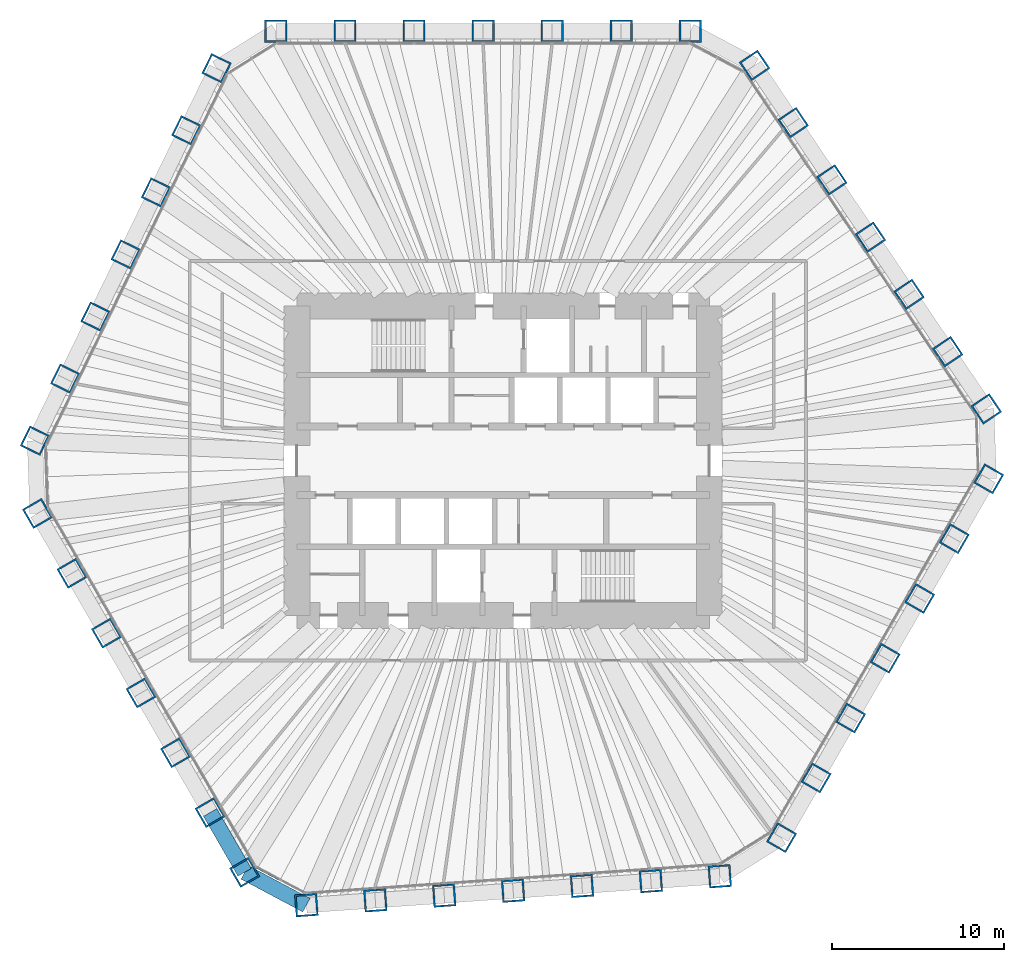
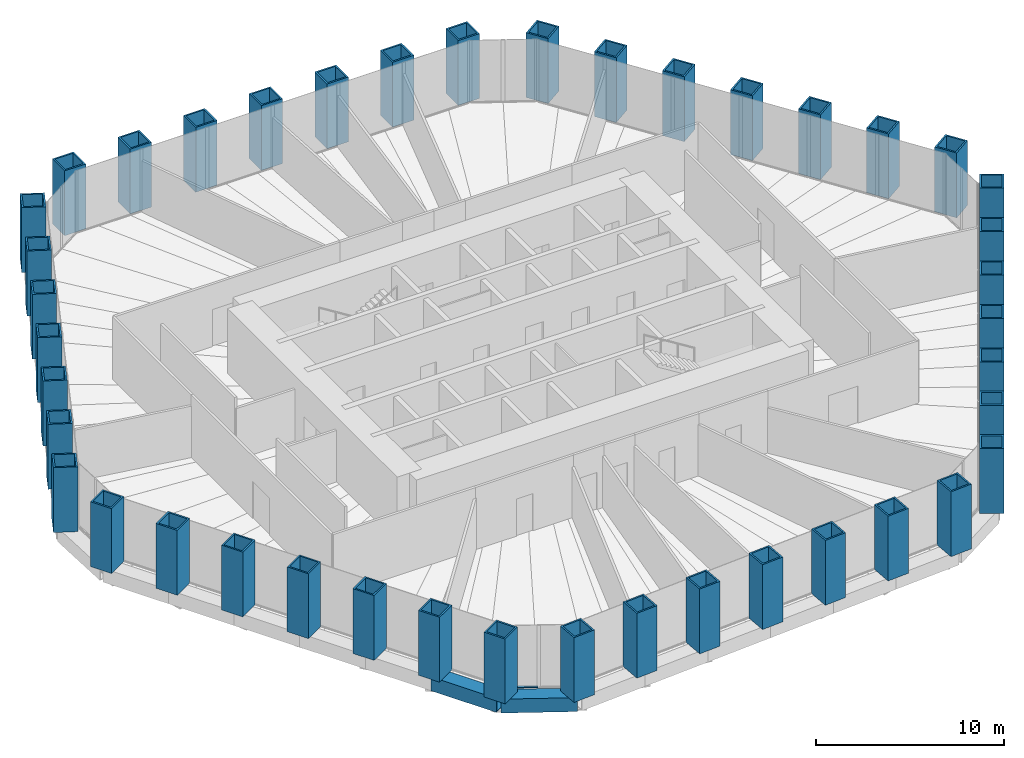
# One storey, part 1 of 12: 42 columns, 2 beams, 1 member, 1 element without a shape of its own.
"""IFC4 building model written with IfcOpenShell, lengths in metres."""

from ifc_helpers import new_model, si_unit, direction, frame, origin, origin_2d, place, context, subcontext, project, spatial, rectangle, hollow_rectangle, extrude, material, material_profile, profile_set, type_object, element, aggregate, save


model = new_model("IFC4")

# Units and contexts
model_context = context("Model", 3, precision=1e-05, world=origin(), true_north=direction((0.0, 1.0)))
body_context = subcontext(model_context, "Body", "Model", "MODEL_VIEW")
ifc_project = project(units=[si_unit("LENGTHUNIT", "METRE"), si_unit("AREAUNIT", "SQUARE_METRE"), si_unit("VOLUMEUNIT", "CUBIC_METRE"), si_unit("PLANEANGLEUNIT", "RADIAN"), si_unit("MASSUNIT", "GRAM", prefix="KILO")], contexts=[model_context])

# Site, building, storey
site_placement = place(None, origin())
site = spatial("IfcSite", under=ifc_project, at=site_placement, CompositionType="ELEMENT")
building_placement = place(site_placement, origin())
building = spatial("IfcBuilding", under=site, at=building_placement, Name="Qingtian Harvest Tower", CompositionType="ELEMENT")
storey_placement = place(building_placement, frame((0.0, 0.0, 107.199951171875)))
storey = spatial("IfcBuildingStorey", under=building, at=storey_placement, Name="L21", CompositionType="ELEMENT", Elevation=107.199951171875)

# Columns
ifc_material_1 = material(Name="Steel SM570MC", Category="steel")
ifc_material_profile_1 = material_profile(ifc_material_1, hollow_rectangle(XDim=1.300048828125, YDim=1.300048828125, WallThickness=0.10009765625, at=origin_2d()), Name="BOX1300x1300x100")
ifc_profile_set_1 = profile_set([ifc_material_profile_1], Name="Steel SM570MC")
column_type = type_object("IfcColumnType", Name="Tube column TC3 BOX1300x1300x100", PredefinedType="COLUMN", material=ifc_profile_set_1)
for number, where, z_axis, x_axis, name in (
    (1, (-13.2216796875, 25.0, 0.0), (0.0, 0.0, 1.0), (-1.0, 0.0, 0.0), "Tube column TC3 N0"),
    (2, (-9.20263671875, 25.0, 0.0), (0.0, 0.0, 1.0), (-1.0, 0.0, 0.0), "Tube column TC3 N1"),
    (3, (-5.18359375, 25.0, 0.0), (0.0, 0.0, 1.0), (-1.0, 0.0, 0.0), "Tube column TC3 N2"),
    (4, (-1.16455078125, 25.0, 0.0), (0.0, 0.0, 1.0), (-1.0, 0.0, 0.0), "Tube column TC3 N3"),
    (5, (2.8544921875, 25.0, 0.0), (0.0, 0.0, 1.0), (-1.0, 0.0, 0.0), "Tube column TC3 N4"),
    (6, (6.873779296875, 25.0, 0.0), (0.0, 0.0, 1.0), (-1.0, 0.0, 0.0), "Tube column TC3 N5"),
    (7, (10.892822265625, 25.0, 0.0), (0.0, 0.0, 1.0), (-1.0, 0.0, 0.0), "Tube column TC3 N6"),
    (8, (14.634765625, 23.01025390625, 0.0), (0.0, 0.0, 1.0), (-0.559192903471, 0.829037572555, 0.0), "Tube column TC3 NE0"),
    (9, (16.88232421875, 19.67822265625, 0.0), (0.0, 0.0, 1.0), (-0.559192903471, 0.829037572555, 0.0), "Tube column TC3 NE1"),
    (10, (19.129638671875, 16.346435546875, 0.0), (0.0, 0.0, 1.0), (-0.559192903471, 0.829037572555, 0.0), "Tube column TC3 NE2"),
    (11, (21.377197265625, 13.014404296875, 0.0), (0.0, 0.0, 1.0), (-0.559192903471, 0.829037572555, 0.0), "Tube column TC3 NE3"),
    (12, (23.62451171875, 9.682373046875, 0.0), (0.0, 0.0, 1.0), (-0.559192903471, 0.829037572555, 0.0), "Tube column TC3 NE4"),
    (13, (25.8720703125, 6.3505859375, 0.0), (0.0, 0.0, 1.0), (-0.559192903471, 0.829037572555, 0.0), "Tube column TC3 NE5"),
    (14, (28.119384765625, 3.0185546875, 0.0), (0.0, 0.0, 1.0), (-0.559192903471, 0.829037572555, 0.0), "Tube column TC3 NE6"),
    (15, (28.261474609375, -1.049560546875, 0.0), (0.0, 0.0, 1.0), (0.5, 0.866025403784, 0.0), "Tube column TC3 SE0"),
    (16, (26.251953125, -4.5302734375, 0.0), (0.0, 0.0, 1.0), (0.5, 0.866025403784, 0.0), "Tube column TC3 SE1"),
    (17, (24.242431640625, -8.010986328125, 0.0), (0.0, 0.0, 1.0), (0.5, 0.866025403784, 0.0), "Tube column TC3 SE2"),
    (18, (22.23291015625, -11.491455078125, 0.0), (0.0, 0.0, 1.0), (0.5, 0.866025403784, 0.0), "Tube column TC3 SE3"),
    (19, (20.223388671875, -14.97216796875, 0.0), (0.0, 0.0, 1.0), (0.5, 0.866025403784, 0.0), "Tube column TC3 SE4"),
    (20, (18.2138671875, -18.452880859375, 0.0), (0.0, 0.0, 1.0), (0.5, 0.866025403784, 0.0), "Tube column TC3 SE5"),
    (21, (16.204345703125, -21.933349609375, 0.0), (0.0, 0.0, 1.0), (0.5, 0.866025403784, 0.0), "Tube column TC3 SE6"),
    (22, (12.610107421875, -24.17919921875, 0.0), (0.0, 0.0, 1.0), (0.99756405026, 0.069756473744, 0.0), "Tube column TC3 S0"),
    (23, (8.600830078125, -24.459716796875, 0.0), (0.0, 0.0, 1.0), (0.99756405026, 0.069756473744, 0.0), "Tube column TC3 S1"),
    (24, (4.591552734375, -24.739990234375, 0.0), (0.0, 0.0, 1.0), (0.99756405026, 0.069756473744, 0.0), "Tube column TC3 S2"),
    (25, (0.582275390625, -25.020263671875, 0.0), (0.0, 0.0, 1.0), (0.99756405026, 0.069756473744, 0.0), "Tube column TC3 S3"),
    (26, (-3.427001953125, -25.30078125, 0.0), (0.0, 0.0, 1.0), (0.99756405026, 0.069756473744, 0.0), "Tube column TC3 S4"),
    (27, (-7.436279296875, -25.5810546875, 0.0), (0.0, 0.0, 1.0), (0.99756405026, 0.069756473744, 0.0), "Tube column TC3 S5"),
    (28, (-11.445556640625, -25.861328125, 0.0), (0.0, 0.0, 1.0), (0.99756405026, 0.069756473744, 0.0), "Tube column TC3 S6"),
    (29, (-15.039794921875, -23.950439453125, 0.0), (0.0, 0.0, 1.0), (0.5, -0.866025403784, 0.0), "Tube column TC3 SW0"),
    (30, (-17.04931640625, -20.4697265625, 0.0), (0.0, 0.0, 1.0), (0.5, -0.866025403784, 0.0), "Tube column TC3 SW1"),
    (31, (-19.058837890625, -16.989013671875, 0.0), (0.0, 0.0, 1.0), (0.5, -0.866025403784, 0.0), "Tube column TC3 SW2"),
    (32, (-21.068359375, -13.508544921875, 0.0), (0.0, 0.0, 1.0), (0.5, -0.866025403784, 0.0), "Tube column TC3 SW3"),
    (33, (-23.077880859375, -10.02783203125, 0.0), (0.0, 0.0, 1.0), (0.5, -0.866025403784, 0.0), "Tube column TC3 SW4"),
    (34, (-25.08740234375, -6.547119140625, 0.0), (0.0, 0.0, 1.0), (0.5, -0.866025403784, 0.0), "Tube column TC3 SW5"),
    (35, (-27.096923828125, -3.066650390625, 0.0), (0.0, 0.0, 1.0), (0.5, -0.866025403784, 0.0), "Tube column TC3 SW6"),
    (36, (-27.244873046875, 1.1689453125, 0.0), (0.0, 0.0, 1.0), (-0.438371146789, -0.898794046299, 0.0), "Tube column TC3 NW0"),
    (37, (-25.483154296875, 4.78125, 0.0), (0.0, 0.0, 1.0), (-0.438371146789, -0.898794046299, 0.0), "Tube column TC3 NW1"),
    (38, (-23.72119140625, 8.3935546875, 0.0), (0.0, 0.0, 1.0), (-0.438371146789, -0.898794046299, 0.0), "Tube column TC3 NW2"),
    (39, (-21.95947265625, 12.005859375, 0.0), (0.0, 0.0, 1.0), (-0.438371146789, -0.898794046299, 0.0), "Tube column TC3 NW3"),
    (40, (-20.197509765625, 15.6181640625, 0.0), (0.0, 0.0, 1.0), (-0.438371146789, -0.898794046299, 0.0), "Tube column TC3 NW4"),
    (41, (-18.435791015625, 19.23046875, 0.0), (0.0, 0.0, 1.0), (-0.438371146789, -0.898794046299, 0.0), "Tube column TC3 NW5"),
    (42, (-16.673828125, 22.8427734375, 0.0), (0.0, 0.0, 1.0), (-0.438371146789, -0.898794046299, 0.0), "Tube column TC3 NW6"),
):
    element("IfcColumn", number, at=place(storey_placement, frame(where, z_axis=z_axis, x_axis=x_axis)), inside=storey, type_object=column_type, Name=name, PredefinedType="COLUMN", context=body_context, shape_type="SweptSolid", body=[
        extrude(hollow_rectangle(XDim=1.300048828125, YDim=1.300048828125, WallThickness=0.10009765625, at=origin_2d()), origin(), (0.0, 0.0, 1.0), 4.199951171875),
    ])

# Beams
ifc_material_2 = material(Name="Steel SM570MC", Category="steel")
ifc_material_profile_2 = material_profile(ifc_material_2, hollow_rectangle(XDim=0.89990234375, YDim=0.89990234375, WallThickness=0.050048828125, at=origin_2d()), Name="BOX900x900x50")
ifc_profile_set_2 = profile_set([ifc_material_profile_2], Name="Steel SM570MC")
beam_type = type_object("IfcBeamType", Name="Transition spandrel SB6 BOX900x900x50", PredefinedType="SPANDREL", material=ifc_profile_set_2)
beam_1_placement = place(storey_placement, frame((-11.445556640625, -25.861328125, -0.449951171875), z_axis=(-0.882968133669, 0.469432929101, 0.0), x_axis=(-0.469432929101, -0.882968133669, 0.0)))
element("IfcBeam", 43, at=beam_1_placement, inside=storey, type_object=beam_type, Name="Spandrel SB6 SC", PredefinedType="SPANDREL", context=body_context, shape_type="SweptSolid", body=[
    extrude(hollow_rectangle(XDim=0.89990234375, YDim=0.89990234375, WallThickness=0.050048828125, at=origin_2d()), origin(), (0.0, 0.0, 1.0), 4.070556640625),
])
beam_2_placement = place(storey_placement, frame((-15.039794921875, -23.950439453125, -0.449951171875), z_axis=(-0.499987116613, 0.866032841884, 0.0), x_axis=(-0.866032841884, -0.499987116613, 0.0)))
element("IfcBeam", 44, at=beam_2_placement, inside=storey, type_object=beam_type, Name="Spandrel SB6 SW0", PredefinedType="SPANDREL", context=body_context, shape_type="SweptSolid", body=[
    extrude(hollow_rectangle(XDim=0.89990234375, YDim=0.89990234375, WallThickness=0.050048828125, at=origin_2d()), origin(), (0.0, 0.0, 1.0), 4.01904296875),
])

# Curtain wall, member
ifc_material_3 = material(Name="Bronze-anodised aluminium curtain wall", Category="aluminium")
curtain_wall_type = type_object("IfcCurtainWallType", Name="Curtain wall CW4 office", PredefinedType="USERDEFINED", material=ifc_material_3)
curtain_wall_placement = place(storey_placement, origin())
curtain_wall = element("IfcCurtainWall", 45, at=curtain_wall_placement, inside=storey, type_object=curtain_wall_type, Name="Curtain wall CW4 L21 SC", ObjectType="RECESSED CURTAIN WALL", PredefinedType="USERDEFINED")
ifc_material_4 = material(Name="Bronze-anodised aluminium transom", Category="aluminium")
ifc_material_profile_3 = material_profile(ifc_material_4, rectangle(XDim=0.14990234375, YDim=0.06494140625, at=origin_2d()), Name="AL 65x150")
ifc_profile_set_3 = profile_set([ifc_material_profile_3], Name="Bronze-anodised aluminium transom")
member_type = type_object("IfcMemberType", Name="Transom CWT 65x150", PredefinedType="USERDEFINED", material=ifc_profile_set_3)
member_placement = place(storey_placement, frame((-12.99267578125, -24.366455078125, 0.032470703125), z_axis=(-0.882960338349, 0.46944759122, 0.0), x_axis=(-0.46944759122, -0.882960338349, 0.0)))
member = element("IfcMember", 46, at=member_placement, type_object=member_type, Name="CW4 transom 2.1", ObjectType="TRANSOM", PredefinedType="USERDEFINED", context=body_context, shape_type="SweptSolid", body=[
    extrude(rectangle(XDim=0.14990234375, YDim=0.06494140625, at=origin_2d()), origin(), (0.0, 0.0, 1.0), 1.56689453125),
])
aggregate(curtain_wall, [member])

save(model, "model.ifc")
